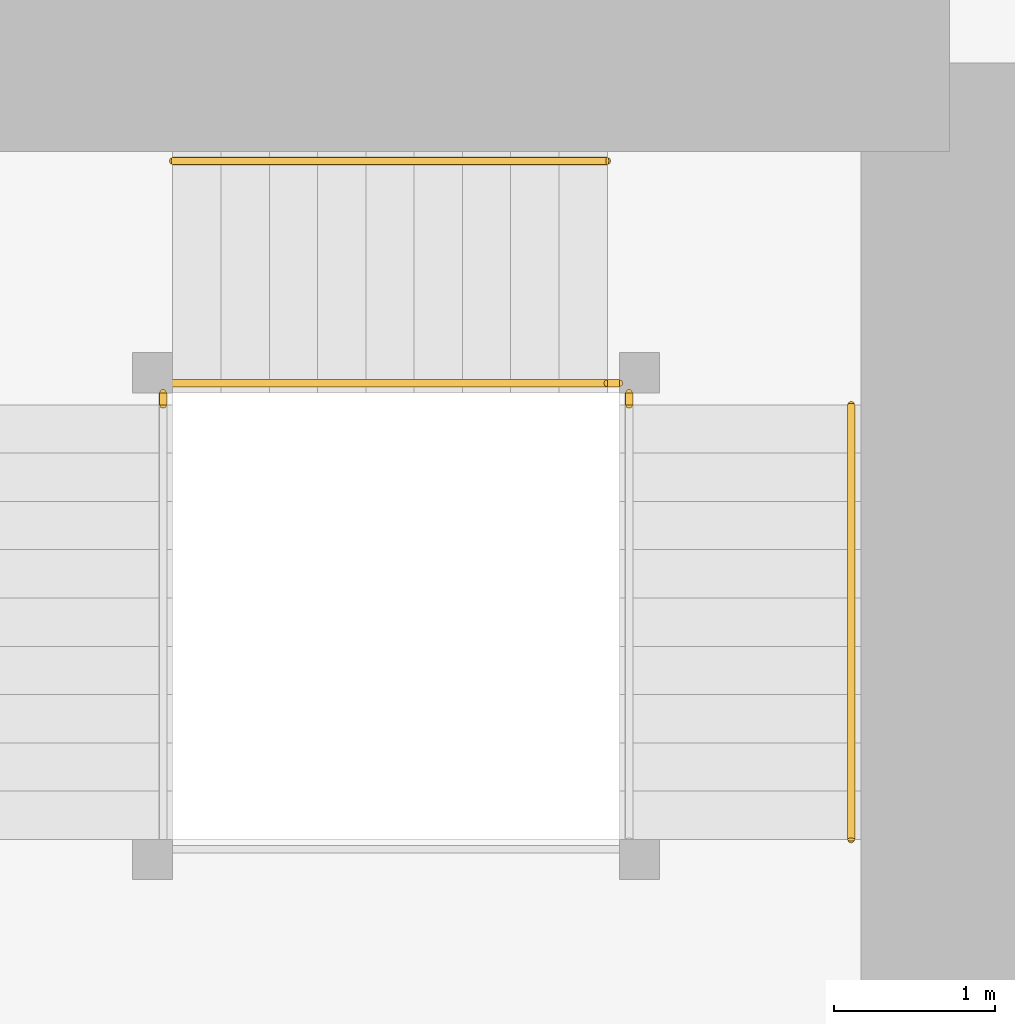
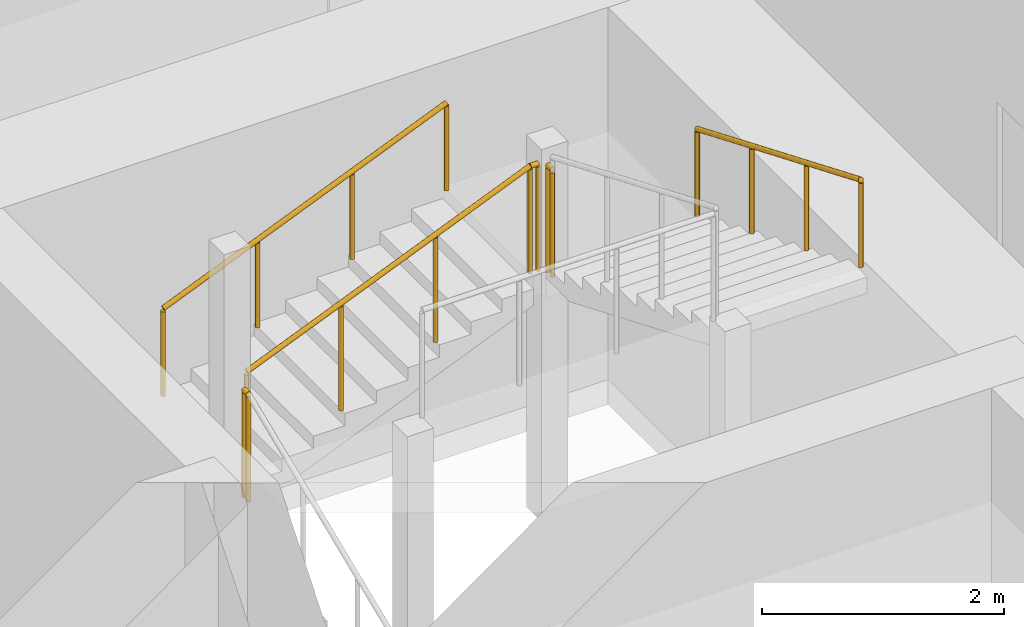
# One storey, part 44 of 45: 6 railings.
"""IFC4 building model written with IfcOpenShell, lengths in metres."""

from ifc_helpers import new_model, si_unit, direction, frame, origin, origin_2d, place, context, subcontext, project, spatial, circle, extrude, material, type_object, element, save


model = new_model("IFC4")

# Units and contexts
model_context = context("Model", 3, precision=1e-05, world=origin(), true_north=direction((0.0, 1.0)))
body_context = subcontext(model_context, "Body", "Model", "MODEL_VIEW")
ifc_project = project(units=[si_unit("LENGTHUNIT", "METRE"), si_unit("AREAUNIT", "SQUARE_METRE"), si_unit("VOLUMEUNIT", "CUBIC_METRE"), si_unit("PLANEANGLEUNIT", "RADIAN"), si_unit("MASSUNIT", "GRAM", prefix="KILO")], contexts=[model_context])

# Site, building, storey
site_placement = place(None, origin())
site = spatial("IfcSite", under=ifc_project, at=site_placement, CompositionType="ELEMENT")
building_placement = place(site_placement, origin())
building = spatial("IfcBuilding", under=site, at=building_placement, Name="Rekha Terrace Tower", CompositionType="ELEMENT")
storey_placement = place(building_placement, frame((0.0, 0.0, 32.89990234375)))
storey = spatial("IfcBuildingStorey", under=building, at=storey_placement, Name="L07", CompositionType="ELEMENT", Elevation=32.89990234375)

# Railings
ifc_material_1 = material(Name="Stainless steel balustrade", Category="steel")
railing_type_1 = type_object("IfcRailingType", Name="GR1 1100 stair guard", PredefinedType="GUARDRAIL", material=ifc_material_1)
railing_1_placement = place(storey_placement, frame((45.574951171875, 44.2099609375, 1.375)))
element("IfcRailing", 1, at=railing_1_placement, inside=storey, type_object=railing_type_1, Name="Guard ST2 L07 flight 2", PredefinedType="GUARDRAIL", context=body_context, shape_type="SweptSolid", body=[
    extrude(circle(Radius=0.02392578125, at=origin_2d()), frame((0.0, 0.0, 1.076171875), z_axis=(0.923074453586, 0.0, 0.384621311341), x_axis=(0.0, 1.0, 0.0)), (0.0, 0.0, 1.0), 2.925048828125),
    extrude(circle(Radius=0.02099609375, at=origin_2d()), origin(), (0.0, 0.0, 1.0), 1.052001953125),
    extrude(circle(Radius=0.02099609375, at=origin_2d()), frame((0.89990234375, 0.0, 0.375)), (0.0, 0.0, 1.0), 1.052001953125),
    extrude(circle(Radius=0.02099609375, at=origin_2d()), frame((1.800048828125, 0.0, 0.75)), (0.0, 0.0, 1.0), 1.052001953125),
    extrude(circle(Radius=0.02099609375, at=origin_2d()), frame((2.699951171875, 0.0, 1.125)), (0.0, 0.0, 1.0), 1.052001953125),
])
railing_2_placement = place(storey_placement, frame((45.514892578125, 44.074951171875, 1.25)))
element("IfcRailing", 2, at=railing_2_placement, inside=storey, type_object=railing_type_1, Name="Guard ST2 L07 landing 1", PredefinedType="GUARDRAIL", context=body_context, shape_type="SweptSolid", body=[
    extrude(circle(Radius=0.02392578125, at=origin_2d()), frame((0.0, 0.0, 1.076171875), z_axis=(0.0, 1.0, 0.0), x_axis=(-1.0, 0.0, 0.0)), (0.0, 0.0, 1.0), 0.074951171875),
    extrude(circle(Radius=0.02099609375, at=origin_2d()), origin(), (0.0, 0.0, 1.0), 1.052001953125),
    extrude(circle(Radius=0.02099609375, at=origin_2d()), frame((0.0, 0.074951171875, 0.0)), (0.0, 0.0, 1.0), 1.052001953125),
])
railing_3_placement = place(storey_placement, frame((48.27490234375, 44.2099609375, 2.5)))
element("IfcRailing", 3, at=railing_3_placement, inside=storey, type_object=railing_type_1, Name="Guard ST2 L07 landing 2", PredefinedType="GUARDRAIL", context=body_context, shape_type="SweptSolid", body=[
    extrude(circle(Radius=0.02392578125, at=origin_2d()), frame((0.0, 0.0, 1.076171875), z_axis=(1.0, 0.0, 0.0), x_axis=(0.0, 1.0, 0.0)), (0.0, 0.0, 1.0), 0.0751953125),
    extrude(circle(Radius=0.02099609375, at=origin_2d()), origin(), (0.0, 0.0, 1.0), 1.052001953125),
    extrude(circle(Radius=0.02099609375, at=origin_2d()), frame((0.0751953125, 0.0, 0.0)), (0.0, 0.0, 1.0), 1.052001953125),
])
railing_4_placement = place(storey_placement, frame((48.409912109375, 44.074951171875, 2.5)))
element("IfcRailing", 4, at=railing_4_placement, inside=storey, type_object=railing_type_1, Name="Guard ST2 L07 landing 3", PredefinedType="GUARDRAIL", context=body_context, shape_type="SweptSolid", body=[
    extrude(circle(Radius=0.02392578125, at=origin_2d()), frame((0.0, 0.0, 1.076171875), z_axis=(0.0, 1.0, 0.0), x_axis=(-1.0, 0.0, 0.0)), (0.0, 0.0, 1.0), 0.074951171875),
    extrude(circle(Radius=0.02099609375, at=origin_2d()), origin(), (0.0, 0.0, 1.0), 1.052001953125),
    extrude(circle(Radius=0.02099609375, at=origin_2d()), frame((0.0, 0.074951171875, 0.0)), (0.0, 0.0, 1.0), 1.052001953125),
])
ifc_material_2 = material(Name="Stainless steel tube", Category="steel")
railing_type_2 = type_object("IfcRailingType", Name="HR1 900 stair handrail", PredefinedType="HANDRAIL", material=ifc_material_2)
railing_5_placement = place(storey_placement, frame((45.574951171875, 45.590087890625, 1.375)))
element("IfcRailing", 5, at=railing_5_placement, inside=storey, type_object=railing_type_2, Name="Handrail ST2 L07 flight 2", PredefinedType="HANDRAIL", context=body_context, shape_type="SweptSolid", body=[
    extrude(circle(Radius=0.02392578125, at=origin_2d()), frame((0.0, 0.0, 0.8759765625), z_axis=(0.923074453586, 0.0, 0.384621311341), x_axis=(0.0, 1.0, 0.0)), (0.0, 0.0, 1.0), 2.925048828125),
    extrude(circle(Radius=0.02099609375, at=origin_2d()), origin(), (0.0, 0.0, 1.0), 0.851806640625),
    extrude(circle(Radius=0.02099609375, at=origin_2d()), frame((0.89990234375, 0.0, 0.375)), (0.0, 0.0, 1.0), 0.851806640625),
    extrude(circle(Radius=0.02099609375, at=origin_2d()), frame((1.800048828125, 0.0, 0.75)), (0.0, 0.0, 1.0), 0.851806640625),
    extrude(circle(Radius=0.02099609375, at=origin_2d()), frame((2.699951171875, 0.0, 1.125)), (0.0, 0.0, 1.0), 0.851806640625),
])
railing_6_placement = place(storey_placement, frame((49.7900390625, 44.074951171875, 2.625)))
element("IfcRailing", 6, at=railing_6_placement, inside=storey, type_object=railing_type_2, Name="Handrail ST2 L07 flight 3", PredefinedType="HANDRAIL", context=body_context, shape_type="SweptSolid", body=[
    extrude(circle(Radius=0.02392578125, at=origin_2d()), frame((0.0, 0.0, 0.8759765625), z_axis=(0.0, -0.923074453586, 0.384621311341), x_axis=(1.0, 0.0, 0.0)), (0.0, 0.0, 1.0), 2.925048828125),
    extrude(circle(Radius=0.02099609375, at=origin_2d()), origin(), (0.0, 0.0, 1.0), 0.851806640625),
    extrude(circle(Radius=0.02099609375, at=origin_2d()), frame((0.0, -0.89990234375, 0.375)), (0.0, 0.0, 1.0), 0.851806640625),
    extrude(circle(Radius=0.02099609375, at=origin_2d()), frame((0.0, -1.800048828125, 0.75)), (0.0, 0.0, 1.0), 0.851806640625),
    extrude(circle(Radius=0.02099609375, at=origin_2d()), frame((0.0, -2.699951171875, 1.125)), (0.0, 0.0, 1.0), 0.851806640625),
])

save(model, "model.ifc")
